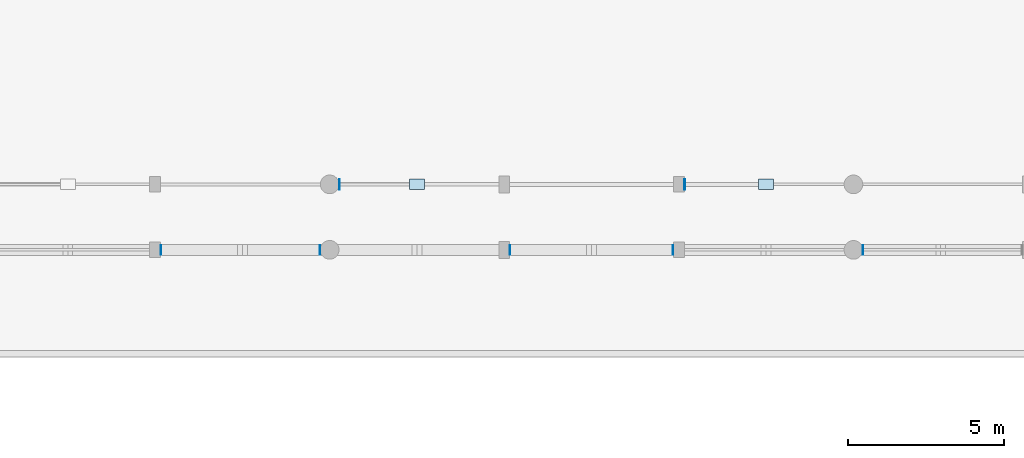
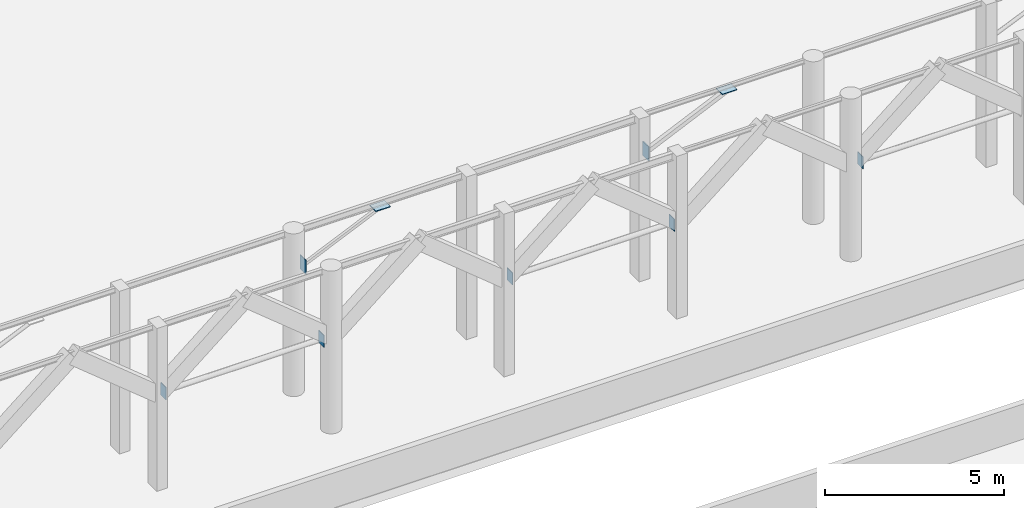
# One storey, part 78 of 135: 9 plates.
"""IFC4 building model written with IfcOpenShell, lengths in metres."""

import ifcopenshell
import ifcopenshell.guid

model = None  # the IFC model being written
_history = None  # IfcOwnerHistory: only IFC2X3 demands one
_inside = {}  # id of a spatial element -> (the spatial element, [elements in it])
_under = {}  # id of a project, library or spatial element -> (it, [spatial elements below it])
_declared = {}  # id of a project -> (the project, [libraries it declares])
_typed = {}  # id of a type object -> (the type object, [elements of that type])
_made_of = {}  # id of a material, layer set ... -> (it, [elements and type objects made of it])


def new_model(schema):
    """Start an empty IFC model of exactly this schema.

    Asked for "IFC4X3", IfcOpenShell would pick the latest addendum, in which some entities
    have other attributes; the version numbers below select the first issue.
    IFC2X3 requires an IfcOwnerHistory on every rooted entity: one is made here for all.
    """
    global model, _history
    if schema == "IFC4X3":
        model = ifcopenshell.file(schema_version=(4, 3, 0, 0))
    else:
        model = ifcopenshell.file(schema=schema)
    _inside.clear()
    _under.clear()
    _declared.clear()
    _typed.clear()
    _made_of.clear()
    _history = None
    if model.schema == "IFC2X3":
        org = make("IfcOrganization", Name="unknown")
        user = make(
            "IfcPersonAndOrganization",
            ThePerson=make("IfcPerson", FamilyName="unknown"),
            TheOrganization=org,
        )
        app = make(
            "IfcApplication",
            ApplicationDeveloper=org,
            Version="unknown",
            ApplicationFullName="unknown",
            ApplicationIdentifier="unknown",
        )
        _history = make(
            "IfcOwnerHistory",
            OwningUser=user,
            OwningApplication=app,
            ChangeAction="ADDED",
            CreationDate=0,
        )
    return model


def make(cls, **values):
    """One entity of the class cls with the attributes given. An attribute that is None is left unset."""
    return model.create_entity(
        cls, **{name: value for name, value in values.items() if value is not None}
    )


def rooted(cls, **values):
    """An entity with a GlobalId (a new one), such as an element, a storey or a relation."""
    return make(cls, GlobalId=ifcopenshell.guid.new(), OwnerHistory=_history, **values)


def si_unit(unit_type, name, prefix=None):
    """IfcSIUnit, for example si_unit("LENGTHUNIT", "METRE", prefix="MILLI")."""
    return make("IfcSIUnit", UnitType=unit_type, Prefix=prefix, Name=name)


def assignment(units):
    """IfcUnitAssignment: the units of a project."""
    return None if units is None else make("IfcUnitAssignment", Units=units)


def point(xyz):
    """IfcCartesianPoint."""
    return None if xyz is None else make("IfcCartesianPoint", Coordinates=xyz)


def direction(xyz):
    """IfcDirection."""
    return None if xyz is None else make("IfcDirection", DirectionRatios=xyz)


def frame(location, z_axis=None, x_axis=None):
    """IfcAxis2Placement3D, a coordinate frame: its origin and axes. An axis left out is left unset."""
    return make(
        "IfcAxis2Placement3D",
        Location=point(location),
        Axis=direction(z_axis),
        RefDirection=direction(x_axis),
    )


def frame_2d(location, x_axis=None):
    """IfcAxis2Placement2D, a coordinate frame in the plane: its origin and x axis."""
    return make(
        "IfcAxis2Placement2D", Location=point(location), RefDirection=direction(x_axis)
    )


def origin():
    """The frame at (0, 0, 0) with its axes left unset."""
    return frame((0.0, 0.0, 0.0))


def origin_2d():
    """The frame at (0, 0) in the plane with its x axis left unset."""
    return frame_2d((0.0, 0.0))


def place(relative_to, where):
    """IfcLocalPlacement: puts the frame where relative to a parent placement (None: the world)."""
    return make(
        "IfcLocalPlacement", PlacementRelTo=relative_to, RelativePlacement=where
    )


def context(
    kind, dimensions, precision=None, world=None, true_north=None, identifier=None
):
    """IfcGeometricRepresentationContext, for example the 3D "Model" context."""
    return make(
        "IfcGeometricRepresentationContext",
        ContextIdentifier=identifier,
        ContextType=kind,
        CoordinateSpaceDimension=dimensions,
        Precision=precision,
        WorldCoordinateSystem=world,
        TrueNorth=true_north,
    )


def subcontext(parent, identifier, kind, view, scale=None):
    """IfcGeometricRepresentationSubContext, for example "Body" below "Model"."""
    return make(
        "IfcGeometricRepresentationSubContext",
        ContextIdentifier=identifier,
        ContextType=kind,
        ParentContext=parent,
        TargetScale=scale,
        TargetView=view,
    )


def project(units=None, contexts=None):
    """IfcProject with its units and contexts."""
    return rooted(
        "IfcProject",
        Name="project",
        RepresentationContexts=contexts,
        UnitsInContext=assignment(units),
    )


def spatial(cls, under=None, at=None, **own):
    """A site, building, storey or space (cls), placed at a placement, below another one or the project."""
    s = rooted(cls, ObjectPlacement=at, **own)
    if under is not None:
        _under.setdefault(under.id(), (under, []))[1].append(s)
    return s


def profile(cls, at=None, kind="AREA", **sizes):
    """A parametric profile (cls). Its sizes go by their IFC names, for example OverallWidth=200.0."""
    return make(cls, ProfileType=kind, Position=at, **sizes)


def rectangle(**sizes):
    """IfcRectangleProfileDef."""
    return profile("IfcRectangleProfileDef", **sizes)


def extrude(swept, where, along, depth):
    """IfcExtrudedAreaSolid: the profile swept, set in the frame where, extruded along a direction by depth."""
    return make(
        "IfcExtrudedAreaSolid",
        SweptArea=swept,
        Position=where,
        ExtrudedDirection=direction(along),
        Depth=depth,
    )


def shape(context_of_items, identifier, shape_type, items):
    """IfcShapeRepresentation: the items that make up one representation, for example the "Body"."""
    return make(
        "IfcShapeRepresentation",
        ContextOfItems=context_of_items,
        RepresentationIdentifier=identifier,
        RepresentationType=shape_type,
        Items=items,
    )


def material(Name=None, Category=None):
    """IfcMaterial."""
    return make("IfcMaterial", Name=Name, Category=Category)


def layer(
    of_material, thickness, ventilated=None, Name=None, Category=None, Priority=None
):
    """IfcMaterialLayer: one layer of a wall or slab, of a material (None: an air gap)."""
    return make(
        "IfcMaterialLayer",
        Material=of_material,
        LayerThickness=thickness,
        IsVentilated=ventilated,
        Name=Name,
        Category=Category,
        Priority=Priority,
    )


def layer_set(layers, Name=None):
    """IfcMaterialLayerSet."""
    return make("IfcMaterialLayerSet", MaterialLayers=layers, LayerSetName=Name)


def made_of(thing, what):
    """Note that an element or type object is made of a material, layer set ...; save() writes the relation."""
    if what is not None:
        _made_of.setdefault(what.id(), (what, []))[1].append(thing)
    return thing


def type_object(cls, material=None, **own):
    """A type object (cls), such as IfcWallType, which elements share."""
    return made_of(rooted(cls, **own), material)


def element(
    cls,
    number,
    at=None,
    inside=None,
    cuts=None,
    type_object=None,
    material=None,
    context=None,
    identifier="Body",
    shape_type=None,
    held_by="IfcProductDefinitionShape",
    body=None,
    shapes=None,
    **own,
):
    """One element of the class cls, such as IfcWall. Its Tag is "e" and its number.

    at: its placement. inside: the storey or other place that contains it. cuts: it is an
    opening in that element (IfcRelVoidsElement). A single representation is given by context,
    identifier, shape_type and body (its items); several are given by shapes. held_by: the class
    of the entity that holds the representations. save() writes the other relations.
    """
    e = rooted(cls, Tag="e%d" % number, ObjectPlacement=at, **own)
    if body is not None:
        shapes = [shape(context, identifier, shape_type, body)]
    if shapes is not None:
        e.Representation = make(held_by, Representations=shapes)
    if inside is not None:
        _inside.setdefault(inside.id(), (inside, []))[1].append(e)
    if cuts is not None:
        rooted(
            "IfcRelVoidsElement", RelatingBuildingElement=cuts, RelatedOpeningElement=e
        )
    if type_object is not None:
        _typed.setdefault(type_object.id(), (type_object, []))[1].append(e)
    return made_of(e, material)


def aggregate(whole, parts):
    """IfcRelAggregates: a whole, such as a stair, and the parts it consists of."""
    return rooted("IfcRelAggregates", RelatingObject=whole, RelatedObjects=parts)


def save(model, path):
    """Write the relations noted so far, then the file.

    IfcRelAggregates (storeys below a building ...), IfcRelContainedInSpatialStructure (elements
    in a storey), IfcRelDefinesByType, IfcRelAssociatesMaterial and IfcRelDeclares: one each for
    every whole, place, type object, material and project.
    """
    for whole, parts in _under.values():
        aggregate(whole, parts)
    for where, things in _inside.values():
        rooted(
            "IfcRelContainedInSpatialStructure",
            RelatedElements=things,
            RelatingStructure=where,
        )
    for kind, things in _typed.values():
        rooted("IfcRelDefinesByType", RelatedObjects=things, RelatingType=kind)
    for what, things in _made_of.values():
        rooted("IfcRelAssociatesMaterial", RelatedObjects=things, RelatingMaterial=what)
    for by, libraries in _declared.values():
        rooted("IfcRelDeclares", RelatingContext=by, RelatedDefinitions=libraries)
    model.write(path)


model = new_model("IFC4")

# Units and contexts
model_context = context("Model", 3, precision=1e-05, world=origin(), true_north=direction((0.0, 1.0)))
body_context = subcontext(model_context, "Body", "Model", "MODEL_VIEW")
ifc_project = project(units=[si_unit("LENGTHUNIT", "METRE"), si_unit("AREAUNIT", "SQUARE_METRE"), si_unit("VOLUMEUNIT", "CUBIC_METRE"), si_unit("PLANEANGLEUNIT", "RADIAN"), si_unit("MASSUNIT", "GRAM", prefix="KILO")], contexts=[model_context])

# Site, building, storey
site_placement = place(None, origin())
site = spatial("IfcSite", under=ifc_project, at=site_placement, CompositionType="ELEMENT")
building_placement = place(site_placement, origin())
building = spatial("IfcBuilding", under=site, at=building_placement, Name="Kiranvali Square Residences", CompositionType="ELEMENT")
storey_placement = place(building_placement, origin())
storey = spatial("IfcBuildingStorey", under=building, at=storey_placement, Name="L00", CompositionType="ELEMENT", Elevation=0.0)

# Plates
ifc_material = material(Name="Structural steel E350", Category="steel")
ifc_layer_1 = layer(ifc_material, 0.02001953125)
ifc_layer_set_1 = layer_set([ifc_layer_1], Name="Structural steel E350")
plate_type_1 = type_object("IfcPlateType", Name="PLT-ENDCAP-20", PredefinedType="SHEET", material=ifc_layer_set_1)
for number, where, z_axis, x_axis, name in (
    (1, (99.385986328125, 12.949951171875, 2.93994140625), (0.0, 0.0, 1.0), (1.0, 0.0, 0.0), "Colonnade tie-rod end plate ARC-SQ-S-3A"),
    (2, (104.489013671875, 12.949951171875, 2.93994140625), (0.0, 0.0, 1.0), (1.0, 0.0, 0.0), "Colonnade tie-rod end plate ARC-SQ-S-3B"),
    (3, (110.5859375, 12.949951171875, 2.93994140625), (0.0, 0.0, 1.0), (1.0, 0.0, 0.0), "Colonnade tie-rod end plate ARC-SQ-S-5A"),
    (4, (115.81396484375, 12.949951171875, 2.93994140625), (0.0, 0.0, 1.0), (1.0, 0.0, 0.0), "Colonnade tie-rod end plate ARC-SQ-S-5B"),
    (5, (121.910888671875, 12.949951171875, 2.93994140625), (0.0, 0.0, 1.0), (1.0, 0.0, 0.0), "Colonnade tie-rod end plate ARC-SQ-S-7A"),
):
    element("IfcPlate", number, at=place(storey_placement, frame(where, z_axis=z_axis, x_axis=x_axis)), inside=storey, type_object=plate_type_1, Name=name, PredefinedType="SHEET", context=body_context, shape_type="SweptSolid", body=[
        extrude(rectangle(XDim=0.02001953125, YDim=0.300048828125, at=origin_2d()), origin(), (0.0, 0.0, 1.0), 0.419921875),
    ])
ifc_layer_2 = layer(ifc_material, 0.02490234375)
ifc_layer_set_2 = layer_set([ifc_layer_2], Name="Structural steel E350")
plate_type_2 = type_object("IfcPlateType", Name="PLT-GUSSET-25", PredefinedType="USERDEFINED", material=ifc_layer_set_2)
plate_1_placement = place(storey_placement, frame((105.114013671875, 15.050048828125, 3.9599609375), z_axis=(0.0, 0.0, 1.0), x_axis=(1.0, 0.0, 0.0)))
element("IfcPlate", 6, at=plate_1_placement, inside=storey, type_object=plate_type_2, Name="Colonnade knee-brace lower gusset ARC-SQ-S-4A", ObjectType="GUSSET PLATE", PredefinedType="USERDEFINED", context=body_context, shape_type="SweptSolid", body=[
    extrude(rectangle(XDim=0.02490234375, YDim=0.340087890625, at=origin_2d()), origin(), (0.0, 0.0, 1.0), 0.47998046875),
])
plate_2_placement = place(storey_placement, frame((107.60009765625, 15.050048828125, 5.30859375), z_axis=(0.0, 0.0, 1.0), x_axis=(1.0, 0.0, 0.0)))
element("IfcPlate", 7, at=plate_2_placement, inside=storey, type_object=plate_type_2, Name="Colonnade knee-brace upper gusset ARC-SQ-S-4B", ObjectType="GUSSET PLATE", PredefinedType="USERDEFINED", context=body_context, shape_type="SweptSolid", body=[
    extrude(rectangle(XDim=0.47998046875, YDim=0.340087890625, at=origin_2d()), origin(), (0.0, 0.0, 1.0), 0.02490234375),
])
plate_3_placement = place(storey_placement, frame((116.18896484375, 15.050048828125, 3.9599609375), z_axis=(0.0, 0.0, 1.0), x_axis=(1.0, 0.0, 0.0)))
element("IfcPlate", 8, at=plate_3_placement, inside=storey, type_object=plate_type_2, Name="Colonnade knee-brace lower gusset ARC-SQ-S-6A", ObjectType="GUSSET PLATE", PredefinedType="USERDEFINED", context=body_context, shape_type="SweptSolid", body=[
    extrude(rectangle(XDim=0.02490234375, YDim=0.340087890625, at=origin_2d()), origin(), (0.0, 0.0, 1.0), 0.47998046875),
])
plate_4_placement = place(storey_placement, frame((118.800048828125, 15.050048828125, 5.383544921875), z_axis=(0.0, 0.0, 1.0), x_axis=(1.0, 0.0, 0.0)))
element("IfcPlate", 9, at=plate_4_placement, inside=storey, type_object=plate_type_2, Name="Colonnade knee-brace upper gusset ARC-SQ-S-6B", ObjectType="GUSSET PLATE", PredefinedType="USERDEFINED", context=body_context, shape_type="SweptSolid", body=[
    extrude(rectangle(XDim=0.47998046875, YDim=0.340087890625, at=origin_2d()), origin(), (0.0, 0.0, 1.0), 0.02490234375),
])

save(model, "model.ifc")
